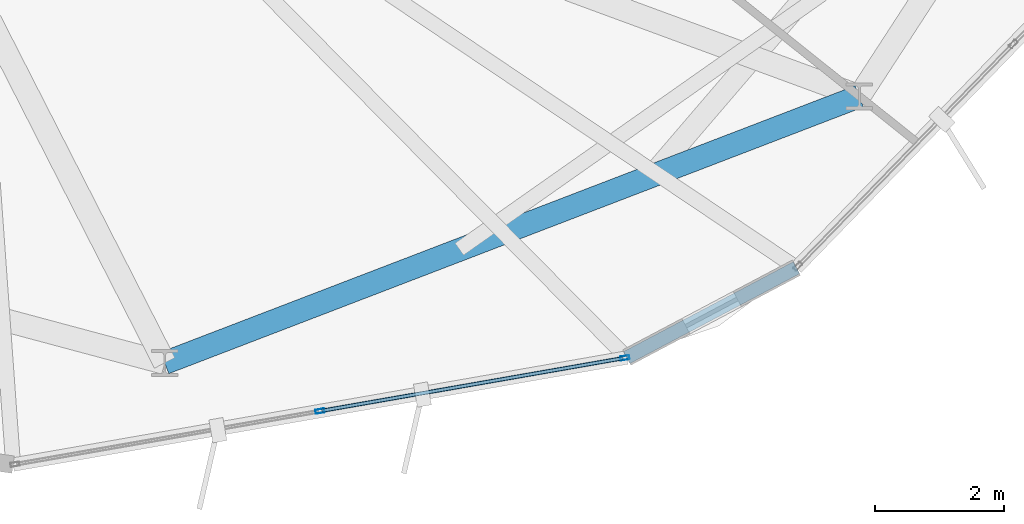
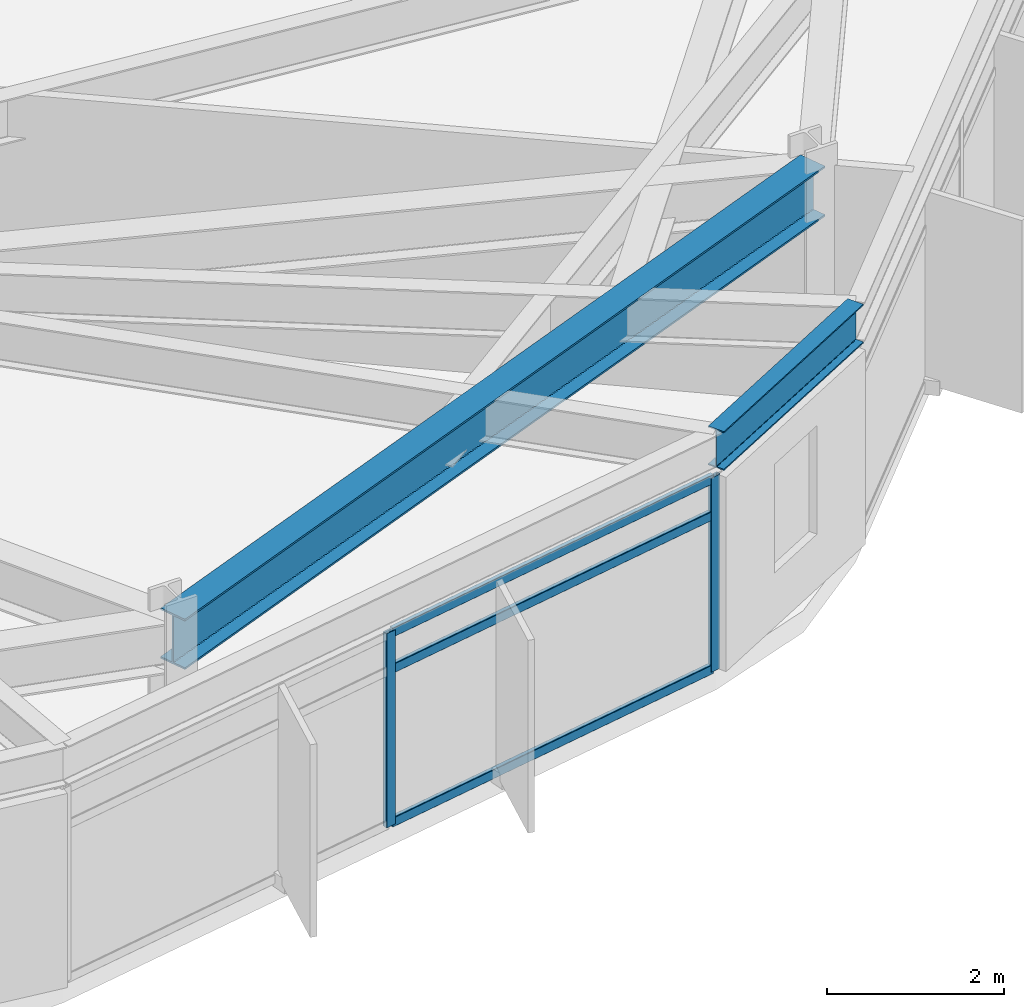
# One storey, part 7 of 28: 5 members, 2 beams, 1 element without a shape of its own.
"""IFC4 building model written with IfcOpenShell, lengths in metres."""

from ifc_helpers import new_model, si_unit, direction, frame, origin, origin_2d, place, context, subcontext, project, spatial, hollow_rectangle, i_section, extrude, material, layer, layer_set, material_profile, profile_set, type_object, element, aggregate, save


model = new_model("IFC4")

# Units and contexts
model_context = context("Model", 3, precision=1e-05, world=origin(), true_north=direction((0.0, 1.0)))
body_context = subcontext(model_context, "Body", "Model", "MODEL_VIEW")
ifc_project = project(units=[si_unit("LENGTHUNIT", "METRE"), si_unit("AREAUNIT", "SQUARE_METRE"), si_unit("VOLUMEUNIT", "CUBIC_METRE"), si_unit("PLANEANGLEUNIT", "RADIAN"), si_unit("MASSUNIT", "GRAM", prefix="KILO")], contexts=[model_context])

# Site, building, storey
site_placement = place(None, origin())
site = spatial("IfcSite", under=ifc_project, at=site_placement, CompositionType="ELEMENT")
building_placement = place(site_placement, origin())
building = spatial("IfcBuilding", under=site, at=building_placement, Name="Soratama Intermodal Tower", CompositionType="ELEMENT")
storey_placement = place(building_placement, frame((0.0, 0.0, 201.39990234375)))
storey = spatial("IfcBuildingStorey", under=building, at=storey_placement, Name="L50", CompositionType="ELEMENT", Elevation=201.39990234375)

# Beams
ifc_material_1 = material(Name="Structural steel ASTM A992 Grade 50", Category="steel")
ifc_material_profile_1 = material_profile(ifc_material_1, i_section(OverallWidth=0.35498046875, OverallDepth=0.695068359375, WebThickness=0.015380859375, FlangeThickness=0.02490234375, FilletRadius=0.01611328125, at=origin_2d()), Name="W27X146")
ifc_profile_set_1 = profile_set([ifc_material_profile_1], Name="Structural steel ASTM A992 Grade 50")
beam_type_1 = type_object("IfcBeamType", Name="BM-RING-W27X146", PredefinedType="BEAM", material=ifc_profile_set_1)
beam_1_placement = place(storey_placement, frame((45.972900390625, 6.426025390625, 2.95263671875), z_axis=(0.933603724339, 0.358307250695, 0.0), x_axis=(-0.358307250695, 0.933603724339, 0.0)))
element("IfcBeam", 1, at=beam_1_placement, inside=storey, type_object=beam_type_1, Name="BM-L50-RING-08", PredefinedType="BEAM", context=body_context, shape_type="SweptSolid", body=[
    extrude(i_section(OverallWidth=0.35498046875, OverallDepth=0.695068359375, WebThickness=0.015380859375, FlangeThickness=0.02490234375, FilletRadius=0.01611328125, at=origin_2d()), origin(), (0.0, 0.0, 1.0), 11.495361328125),
])
ifc_material_2 = material(Name="Structural steel ASTM A992 Grade 50", Category="steel")
ifc_material_profile_2 = material_profile(ifc_material_2, i_section(OverallWidth=0.2099609375, OverallDepth=0.537109375, WebThickness=0.010986328125, FlangeThickness=0.017333984375, FilletRadius=0.012939453125, at=origin_2d()), Name="W21X68")
ifc_profile_set_2 = profile_set([ifc_material_profile_2], Name="Structural steel ASTM A992 Grade 50")
beam_type_2 = type_object("IfcBeamType", Name="BM-SPN-W21X68", PredefinedType="SPANDREL", material=ifc_profile_set_2)
beam_2_placement = place(storey_placement, frame((53.112060546875, 6.509033203125, 3.031494140625), z_axis=(0.883799927138, 0.467865032664, 0.0), x_axis=(-0.467865032664, 0.883799927138, 0.0)))
element("IfcBeam", 2, at=beam_2_placement, inside=storey, type_object=beam_type_2, Name="BS-L50-CRN07", PredefinedType="SPANDREL", context=body_context, shape_type="SweptSolid", body=[
    extrude(i_section(OverallWidth=0.2099609375, OverallDepth=0.537109375, WebThickness=0.010986328125, FlangeThickness=0.017333984375, FilletRadius=0.012939453125, at=origin_2d()), origin(), (0.0, 0.0, 1.0), 2.966552734375),
])

# Curtain wall, members
ifc_material_3 = material(Name="Double-glazed aluminium curtain wall", Category="aluminium")
ifc_layer = layer(ifc_material_3, 0.159912109375)
ifc_layer_set = layer_set([ifc_layer], Name="Double-glazed aluminium curtain wall")
curtain_wall_type = type_object("IfcCurtainWallType", Name="CW-SYS-5", PredefinedType="NOTDEFINED", material=ifc_layer_set)
curtain_wall_placement = place(storey_placement, origin())
curtain_wall = element("IfcCurtainWall", 3, at=curtain_wall_placement, inside=storey, type_object=curtain_wall_type, Name="L50 Faceted Curtain Wall F07", PredefinedType="NOTDEFINED")
ifc_material_4 = material(Name="Anodised aluminium AA 6063-T6", Category="aluminium")
ifc_material_profile_3 = material_profile(ifc_material_4, hollow_rectangle(XDim=0.06494140625, YDim=0.139892578125, WallThickness=0.0048828125, InnerFilletRadius=0.0048828125, OuterFilletRadius=0.010009765625, at=origin_2d()), Name="CWM140X65X5")
ifc_profile_set_3 = profile_set([ifc_material_profile_3], Name="Anodised aluminium AA 6063-T6")
member_type_1 = type_object("IfcMemberType", Name="MT-CWM-5", PredefinedType="MULLION", material=ifc_profile_set_3)
member_1_placement = place(storey_placement, frame((48.37158203125, 5.68212890625, 0.0), z_axis=(0.0, 0.0, 1.0), x_axis=(-0.171932681595, 0.985108701108, 0.0)))
member_1 = element("IfcMember", 4, at=member_1_placement, type_object=member_type_1, Name="CW-5 mullion 2", PredefinedType="MULLION", context=body_context, shape_type="SweptSolid", body=[
    extrude(hollow_rectangle(XDim=0.06494140625, YDim=0.139892578125, WallThickness=0.0048828125, InnerFilletRadius=0.0048828125, OuterFilletRadius=0.010009765625, at=origin_2d()), origin(), (0.0, 0.0, 1.0), 2.67919921875),
])
member_2_placement = place(storey_placement, frame((53.082275390625, 6.504150390625, 0.0), z_axis=(0.0, 0.0, 1.0), x_axis=(-0.171932681595, 0.985108701108, 0.0)))
member_2 = element("IfcMember", 5, at=member_2_placement, type_object=member_type_1, Name="CW-5 mullion 3", PredefinedType="MULLION", context=body_context, shape_type="SweptSolid", body=[
    extrude(hollow_rectangle(XDim=0.06494140625, YDim=0.139892578125, WallThickness=0.0048828125, InnerFilletRadius=0.0048828125, OuterFilletRadius=0.010009765625, at=origin_2d()), origin(), (0.0, 0.0, 1.0), 2.67919921875),
])
ifc_material_5 = material(Name="Anodised aluminium AA 6063-T6", Category="aluminium")
ifc_material_profile_4 = material_profile(ifc_material_5, hollow_rectangle(XDim=0.06005859375, YDim=0.1298828125, WallThickness=0.0048828125, InnerFilletRadius=0.0048828125, OuterFilletRadius=0.010009765625, at=origin_2d()), Name="CWT130X60X5")
ifc_profile_set_4 = profile_set([ifc_material_profile_4], Name="Anodised aluminium AA 6063-T6")
member_type_2 = type_object("IfcMemberType", Name="TT-CWT-2", PredefinedType="USERDEFINED", material=ifc_profile_set_4)
member_3_placement = place(storey_placement, frame((48.401123046875, 5.687255859375, 0.030029296875), z_axis=(0.985111785196, 0.171915010013, 0.0), x_axis=(-0.171915010013, 0.985111785196, 0.0)))
member_3 = element("IfcMember", 6, at=member_3_placement, type_object=member_type_2, Name="CW-5 transom 2.1", ObjectType="TRANSOM", PredefinedType="USERDEFINED", context=body_context, shape_type="SweptSolid", body=[
    extrude(hollow_rectangle(XDim=0.06005859375, YDim=0.1298828125, WallThickness=0.0048828125, InnerFilletRadius=0.0048828125, OuterFilletRadius=0.010009765625, at=origin_2d()), origin(), (0.0, 0.0, 1.0), 4.721923828125),
])
member_4_placement = place(storey_placement, frame((48.401123046875, 5.687255859375, 2.150146484375), z_axis=(0.985111785196, 0.171915010013, 0.0), x_axis=(-0.171915010013, 0.985111785196, 0.0)))
member_4 = element("IfcMember", 7, at=member_4_placement, type_object=member_type_2, Name="CW-5 transom 2.2", ObjectType="TRANSOM", PredefinedType="USERDEFINED", context=body_context, shape_type="SweptSolid", body=[
    extrude(hollow_rectangle(XDim=0.06005859375, YDim=0.1298828125, WallThickness=0.0048828125, InnerFilletRadius=0.0048828125, OuterFilletRadius=0.010009765625, at=origin_2d()), origin(), (0.0, 0.0, 1.0), 4.721923828125),
])
member_5_placement = place(storey_placement, frame((48.401123046875, 5.687255859375, 2.649169921875), z_axis=(0.985111785196, 0.171915010013, 0.0), x_axis=(-0.171915010013, 0.985111785196, 0.0)))
member_5 = element("IfcMember", 8, at=member_5_placement, type_object=member_type_2, Name="CW-5 transom 2.3", ObjectType="TRANSOM", PredefinedType="USERDEFINED", context=body_context, shape_type="SweptSolid", body=[
    extrude(hollow_rectangle(XDim=0.06005859375, YDim=0.1298828125, WallThickness=0.0048828125, InnerFilletRadius=0.0048828125, OuterFilletRadius=0.010009765625, at=origin_2d()), origin(), (0.0, 0.0, 1.0), 4.721923828125),
])
aggregate(curtain_wall, [member_1, member_2, member_3, member_4, member_5])

save(model, "model.ifc")
